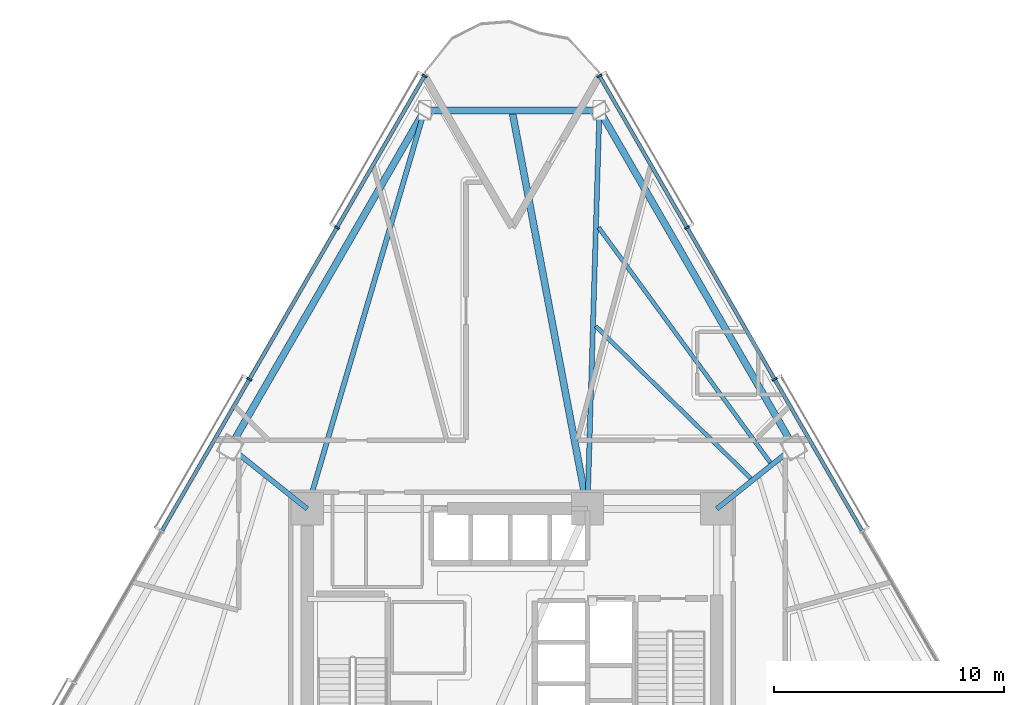
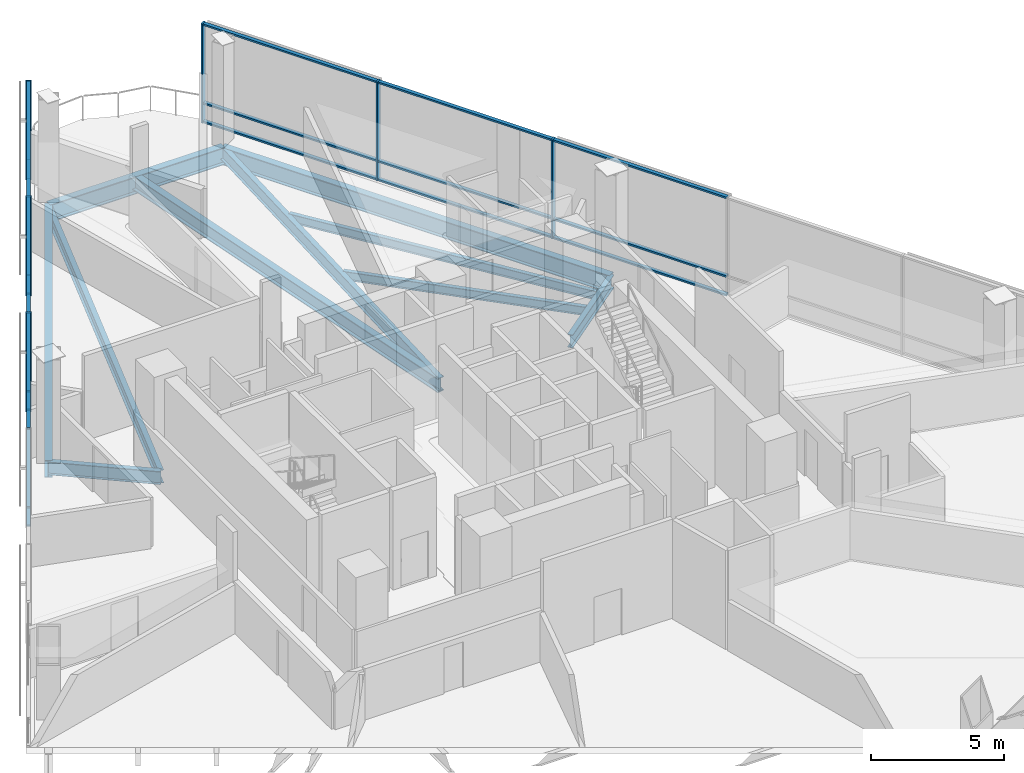
# One storey, part 5 of 17: 24 members, 10 beams, 2 elements without a shape of their own.
"""IFC4 building model written with IfcOpenShell, lengths in metres."""

from ifc_helpers import new_model, si_unit, direction, frame, origin, origin_2d, place, context, subcontext, project, spatial, rectangle, i_section, extrude, material, layer, layer_set, material_profile, profile_set, type_object, element, aggregate, save


model = new_model("IFC4")

# Units and contexts
model_context = context("Model", 3, precision=1e-05, world=origin(), true_north=direction((0.0, 1.0)))
body_context = subcontext(model_context, "Body", "Model", "MODEL_VIEW")
ifc_project = project(units=[si_unit("LENGTHUNIT", "METRE"), si_unit("AREAUNIT", "SQUARE_METRE"), si_unit("VOLUMEUNIT", "CUBIC_METRE"), si_unit("PLANEANGLEUNIT", "RADIAN"), si_unit("MASSUNIT", "GRAM", prefix="KILO")], contexts=[model_context])

# Site, building, storey
site_placement = place(None, origin())
site = spatial("IfcSite", under=ifc_project, at=site_placement, CompositionType="ELEMENT")
building_placement = place(site_placement, origin())
building = spatial("IfcBuilding", under=site, at=building_placement, Name="Tharavind Bronze Gate", CompositionType="ELEMENT")
storey_placement = place(building_placement, frame((0.0, 0.0, 52.25)))
storey = spatial("IfcBuildingStorey", under=building, at=storey_placement, Name="L12", CompositionType="ELEMENT", Elevation=52.25)

# Curtain wall, members
ifc_material_1 = material(Name="Anodised Bronze Aluminium", Category="aluminium")
ifc_layer = layer(ifc_material_1, 0.219970703125)
ifc_layer_set = layer_set([ifc_layer], Name="Anodised Bronze Aluminium")
curtain_wall_type = type_object("IfcCurtainWallType", Name="UNITISED CURTAIN WALL HOTEL", PredefinedType="USERDEFINED", material=ifc_layer_set)
curtain_wall_1_placement = place(storey_placement, origin())
curtain_wall_1 = element("IfcCurtainWall", 1, at=curtain_wall_1_placement, inside=storey, type_object=curtain_wall_type, Name="L12 unitised curtain wall hotel CW-L12-S1", ObjectType="UNITISED CURTAIN WALL", PredefinedType="USERDEFINED")
member_type_1 = type_object("IfcMemberType", Name="CURTAIN WALL MULLION 80X220", PredefinedType="MULLION", material=ifc_material_1)
member_1_placement = place(storey_placement, frame((-3.800048828125, 26.418212890625, 0.0), z_axis=(0.0, 0.0, 1.0), x_axis=(-0.500001511499, -0.866024531118, 0.0)))
member_1 = element("IfcMember", 2, at=member_1_placement, type_object=member_type_1, Name="CW-L12-S1 mullion 1", PredefinedType="MULLION", context=body_context, shape_type="SweptSolid", body=[
    extrude(rectangle(XDim=0.080078125, YDim=0.219970703125, at=origin_2d()), origin(), (0.0, 0.0, 1.0), 4.56005859375),
])
member_2_placement = place(storey_placement, frame((-7.60791015625, 19.822509765625, 0.0), z_axis=(0.0, 0.0, 1.0), x_axis=(-0.500001511499, -0.866024531118, 0.0)))
member_2 = element("IfcMember", 3, at=member_2_placement, type_object=member_type_1, Name="CW-L12-S1 mullion 2", PredefinedType="MULLION", context=body_context, shape_type="SweptSolid", body=[
    extrude(rectangle(XDim=0.080078125, YDim=0.219970703125, at=origin_2d()), origin(), (0.0, 0.0, 1.0), 4.56005859375),
])
member_3_placement = place(storey_placement, frame((-11.416015625, 13.22705078125, 0.0), z_axis=(0.0, 0.0, 1.0), x_axis=(-0.500001511499, -0.866024531118, 0.0)))
member_3 = element("IfcMember", 4, at=member_3_placement, type_object=member_type_1, Name="CW-L12-S1 mullion 3", PredefinedType="MULLION", context=body_context, shape_type="SweptSolid", body=[
    extrude(rectangle(XDim=0.080078125, YDim=0.219970703125, at=origin_2d()), origin(), (0.0, 0.0, 1.0), 4.56005859375),
])

curtain_wall_2_placement = place(storey_placement, origin())
curtain_wall_2 = element("IfcCurtainWall", 5, at=curtain_wall_2_placement, inside=storey, type_object=curtain_wall_type, Name="L12 unitised curtain wall hotel CW-L12-S3", ObjectType="UNITISED CURTAIN WALL", PredefinedType="USERDEFINED")
member_4_placement = place(storey_placement, frame((11.416015625, 13.22705078125, 0.0), z_axis=(0.0, 0.0, 1.0), x_axis=(-0.500001511499, 0.866024531118, 0.0)))
member_4 = element("IfcMember", 6, at=member_4_placement, type_object=member_type_1, Name="CW-L12-S3 mullion 6", PredefinedType="MULLION", context=body_context, shape_type="SweptSolid", body=[
    extrude(rectangle(XDim=0.080078125, YDim=0.219970703125, at=origin_2d()), origin(), (0.0, 0.0, 1.0), 4.56005859375),
])
member_5_placement = place(storey_placement, frame((7.60791015625, 19.822509765625, 0.0), z_axis=(0.0, 0.0, 1.0), x_axis=(-0.500001511499, 0.866024531118, 0.0)))
member_5 = element("IfcMember", 7, at=member_5_placement, type_object=member_type_1, Name="CW-L12-S3 mullion 7", PredefinedType="MULLION", context=body_context, shape_type="SweptSolid", body=[
    extrude(rectangle(XDim=0.080078125, YDim=0.219970703125, at=origin_2d()), origin(), (0.0, 0.0, 1.0), 4.56005859375),
])
member_6_placement = place(storey_placement, frame((3.800048828125, 26.418212890625, 0.0), z_axis=(0.0, 0.0, 1.0), x_axis=(-0.500001511499, 0.866024531118, 0.0)))
member_6 = element("IfcMember", 8, at=member_6_placement, type_object=member_type_1, Name="CW-L12-S3 mullion 8", PredefinedType="MULLION", context=body_context, shape_type="SweptSolid", body=[
    extrude(rectangle(XDim=0.080078125, YDim=0.219970703125, at=origin_2d()), origin(), (0.0, 0.0, 1.0), 4.56005859375),
])

# Member
member_type_2 = type_object("IfcMemberType", Name="CURTAIN WALL TRANSOM 80X160", PredefinedType="USERDEFINED", material=ifc_material_1)
member_7_placement = place(storey_placement, frame((-5.7041015625, 23.120361328125, 0.0), z_axis=(0.0, 0.0, 1.0), x_axis=(-0.500001511499, -0.866024531118, 0.0)))
member_7 = element("IfcMember", 9, at=member_7_placement, type_object=member_type_2, Name="CW-L12-S1 transom TB1", ObjectType="TRANSOM", PredefinedType="USERDEFINED", context=body_context, shape_type="SweptSolid", body=[
    extrude(rectangle(XDim=7.5478515625, YDim=0.159912109375, at=origin_2d()), origin(), (0.0, 0.0, 1.0), 0.080078125),
])

member_8_placement = place(storey_placement, frame((-5.7041015625, 23.120361328125, 0.85986328125), z_axis=(0.0, 0.0, 1.0), x_axis=(-0.500001511499, -0.866024531118, 0.0)))
member_8 = element("IfcMember", 10, at=member_8_placement, type_object=member_type_2, Name="CW-L12-S1 transom TS1", ObjectType="TRANSOM", PredefinedType="USERDEFINED", context=body_context, shape_type="SweptSolid", body=[
    extrude(rectangle(XDim=7.5478515625, YDim=0.159912109375, at=origin_2d()), origin(), (0.0, 0.0, 1.0), 0.080078125),
])

member_9_placement = place(storey_placement, frame((-5.7041015625, 23.120361328125, 4.47998046875), z_axis=(0.0, 0.0, 1.0), x_axis=(-0.500001511499, -0.866024531118, 0.0)))
member_9 = element("IfcMember", 11, at=member_9_placement, type_object=member_type_2, Name="CW-L12-S1 transom TT1", ObjectType="TRANSOM", PredefinedType="USERDEFINED", context=body_context, shape_type="SweptSolid", body=[
    extrude(rectangle(XDim=7.5478515625, YDim=0.159912109375, at=origin_2d()), origin(), (0.0, 0.0, 1.0), 0.080078125),
])

member_10_placement = place(storey_placement, frame((-9.511962890625, 16.52490234375, 0.0), z_axis=(0.0, 0.0, 1.0), x_axis=(-0.500001511499, -0.866024531118, 0.0)))
member_10 = element("IfcMember", 12, at=member_10_placement, type_object=member_type_2, Name="CW-L12-S1 transom TB2", ObjectType="TRANSOM", PredefinedType="USERDEFINED", context=body_context, shape_type="SweptSolid", body=[
    extrude(rectangle(XDim=7.5478515625, YDim=0.159912109375, at=origin_2d()), origin(), (0.0, 0.0, 1.0), 0.080078125),
])

member_11_placement = place(storey_placement, frame((-9.511962890625, 16.52490234375, 0.85986328125), z_axis=(0.0, 0.0, 1.0), x_axis=(-0.500001511499, -0.866024531118, 0.0)))
member_11 = element("IfcMember", 13, at=member_11_placement, type_object=member_type_2, Name="CW-L12-S1 transom TS2", ObjectType="TRANSOM", PredefinedType="USERDEFINED", context=body_context, shape_type="SweptSolid", body=[
    extrude(rectangle(XDim=7.5478515625, YDim=0.159912109375, at=origin_2d()), origin(), (0.0, 0.0, 1.0), 0.080078125),
])

member_12_placement = place(storey_placement, frame((-9.511962890625, 16.52490234375, 4.47998046875), z_axis=(0.0, 0.0, 1.0), x_axis=(-0.500001511499, -0.866024531118, 0.0)))
member_12 = element("IfcMember", 14, at=member_12_placement, type_object=member_type_2, Name="CW-L12-S1 transom TT2", ObjectType="TRANSOM", PredefinedType="USERDEFINED", context=body_context, shape_type="SweptSolid", body=[
    extrude(rectangle(XDim=7.5478515625, YDim=0.159912109375, at=origin_2d()), origin(), (0.0, 0.0, 1.0), 0.080078125),
])

member_13_placement = place(storey_placement, frame((-13.31982421875, 9.92919921875, 0.0), z_axis=(0.0, 0.0, 1.0), x_axis=(-0.500001511499, -0.866024531118, 0.0)))
member_13 = element("IfcMember", 15, at=member_13_placement, type_object=member_type_2, Name="CW-L12-S1 transom TB3", ObjectType="TRANSOM", PredefinedType="USERDEFINED", context=body_context, shape_type="SweptSolid", body=[
    extrude(rectangle(XDim=7.5478515625, YDim=0.159912109375, at=origin_2d()), origin(), (0.0, 0.0, 1.0), 0.080078125),
])

member_14_placement = place(storey_placement, frame((-13.31982421875, 9.92919921875, 0.85986328125), z_axis=(0.0, 0.0, 1.0), x_axis=(-0.500001511499, -0.866024531118, 0.0)))
member_14 = element("IfcMember", 16, at=member_14_placement, type_object=member_type_2, Name="CW-L12-S1 transom TS3", ObjectType="TRANSOM", PredefinedType="USERDEFINED", context=body_context, shape_type="SweptSolid", body=[
    extrude(rectangle(XDim=7.5478515625, YDim=0.159912109375, at=origin_2d()), origin(), (0.0, 0.0, 1.0), 0.080078125),
])

member_15_placement = place(storey_placement, frame((-13.31982421875, 9.92919921875, 4.47998046875), z_axis=(0.0, 0.0, 1.0), x_axis=(-0.500001511499, -0.866024531118, 0.0)))
member_15 = element("IfcMember", 17, at=member_15_placement, type_object=member_type_2, Name="CW-L12-S1 transom TT3", ObjectType="TRANSOM", PredefinedType="USERDEFINED", context=body_context, shape_type="SweptSolid", body=[
    extrude(rectangle(XDim=7.5478515625, YDim=0.159912109375, at=origin_2d()), origin(), (0.0, 0.0, 1.0), 0.080078125),
])

aggregate(curtain_wall_1, [member_1, member_2, member_3, member_7, member_8, member_9, member_10, member_11, member_12, member_13, member_14, member_15])

member_16_placement = place(storey_placement, frame((13.31982421875, 9.92919921875, 0.0), z_axis=(0.0, 0.0, 1.0), x_axis=(-0.500001511499, 0.866024531118, 0.0)))
member_16 = element("IfcMember", 18, at=member_16_placement, type_object=member_type_2, Name="CW-L12-S3 transom TB5", ObjectType="TRANSOM", PredefinedType="USERDEFINED", context=body_context, shape_type="SweptSolid", body=[
    extrude(rectangle(XDim=7.5478515625, YDim=0.159912109375, at=origin_2d()), origin(), (0.0, 0.0, 1.0), 0.080078125),
])

member_17_placement = place(storey_placement, frame((13.31982421875, 9.92919921875, 0.85986328125), z_axis=(0.0, 0.0, 1.0), x_axis=(-0.500001511499, 0.866024531118, 0.0)))
member_17 = element("IfcMember", 19, at=member_17_placement, type_object=member_type_2, Name="CW-L12-S3 transom TS5", ObjectType="TRANSOM", PredefinedType="USERDEFINED", context=body_context, shape_type="SweptSolid", body=[
    extrude(rectangle(XDim=7.5478515625, YDim=0.159912109375, at=origin_2d()), origin(), (0.0, 0.0, 1.0), 0.080078125),
])

member_18_placement = place(storey_placement, frame((13.31982421875, 9.92919921875, 4.47998046875), z_axis=(0.0, 0.0, 1.0), x_axis=(-0.500001511499, 0.866024531118, 0.0)))
member_18 = element("IfcMember", 20, at=member_18_placement, type_object=member_type_2, Name="CW-L12-S3 transom TT5", ObjectType="TRANSOM", PredefinedType="USERDEFINED", context=body_context, shape_type="SweptSolid", body=[
    extrude(rectangle(XDim=7.5478515625, YDim=0.159912109375, at=origin_2d()), origin(), (0.0, 0.0, 1.0), 0.080078125),
])

member_19_placement = place(storey_placement, frame((9.511962890625, 16.52490234375, 0.0), z_axis=(0.0, 0.0, 1.0), x_axis=(-0.500001511499, 0.866024531118, 0.0)))
member_19 = element("IfcMember", 21, at=member_19_placement, type_object=member_type_2, Name="CW-L12-S3 transom TB6", ObjectType="TRANSOM", PredefinedType="USERDEFINED", context=body_context, shape_type="SweptSolid", body=[
    extrude(rectangle(XDim=7.5478515625, YDim=0.159912109375, at=origin_2d()), origin(), (0.0, 0.0, 1.0), 0.080078125),
])

member_20_placement = place(storey_placement, frame((9.511962890625, 16.52490234375, 0.85986328125), z_axis=(0.0, 0.0, 1.0), x_axis=(-0.500001511499, 0.866024531118, 0.0)))
member_20 = element("IfcMember", 22, at=member_20_placement, type_object=member_type_2, Name="CW-L12-S3 transom TS6", ObjectType="TRANSOM", PredefinedType="USERDEFINED", context=body_context, shape_type="SweptSolid", body=[
    extrude(rectangle(XDim=7.5478515625, YDim=0.159912109375, at=origin_2d()), origin(), (0.0, 0.0, 1.0), 0.080078125),
])

member_21_placement = place(storey_placement, frame((9.511962890625, 16.52490234375, 4.47998046875), z_axis=(0.0, 0.0, 1.0), x_axis=(-0.500001511499, 0.866024531118, 0.0)))
member_21 = element("IfcMember", 23, at=member_21_placement, type_object=member_type_2, Name="CW-L12-S3 transom TT6", ObjectType="TRANSOM", PredefinedType="USERDEFINED", context=body_context, shape_type="SweptSolid", body=[
    extrude(rectangle(XDim=7.5478515625, YDim=0.159912109375, at=origin_2d()), origin(), (0.0, 0.0, 1.0), 0.080078125),
])

member_22_placement = place(storey_placement, frame((5.7041015625, 23.120361328125, 0.0), z_axis=(0.0, 0.0, 1.0), x_axis=(-0.500001511499, 0.866024531118, 0.0)))
member_22 = element("IfcMember", 24, at=member_22_placement, type_object=member_type_2, Name="CW-L12-S3 transom TB7", ObjectType="TRANSOM", PredefinedType="USERDEFINED", context=body_context, shape_type="SweptSolid", body=[
    extrude(rectangle(XDim=7.5478515625, YDim=0.159912109375, at=origin_2d()), origin(), (0.0, 0.0, 1.0), 0.080078125),
])

member_23_placement = place(storey_placement, frame((5.7041015625, 23.120361328125, 0.85986328125), z_axis=(0.0, 0.0, 1.0), x_axis=(-0.500001511499, 0.866024531118, 0.0)))
member_23 = element("IfcMember", 25, at=member_23_placement, type_object=member_type_2, Name="CW-L12-S3 transom TS7", ObjectType="TRANSOM", PredefinedType="USERDEFINED", context=body_context, shape_type="SweptSolid", body=[
    extrude(rectangle(XDim=7.5478515625, YDim=0.159912109375, at=origin_2d()), origin(), (0.0, 0.0, 1.0), 0.080078125),
])

member_24_placement = place(storey_placement, frame((5.7041015625, 23.120361328125, 4.47998046875), z_axis=(0.0, 0.0, 1.0), x_axis=(-0.500001511499, 0.866024531118, 0.0)))
member_24 = element("IfcMember", 26, at=member_24_placement, type_object=member_type_2, Name="CW-L12-S3 transom TT7", ObjectType="TRANSOM", PredefinedType="USERDEFINED", context=body_context, shape_type="SweptSolid", body=[
    extrude(rectangle(XDim=7.5478515625, YDim=0.159912109375, at=origin_2d()), origin(), (0.0, 0.0, 1.0), 0.080078125),
])

aggregate(curtain_wall_2, [member_4, member_5, member_6, member_16, member_17, member_18, member_19, member_20, member_21, member_22, member_23, member_24])

# Beams
ifc_material_2 = material(Name="Steel S355", Category="steel")
ifc_material_profile_1 = material_profile(ifc_material_2, i_section(OverallWidth=0.300048828125, OverallDepth=0.64990234375, WebThickness=0.01611328125, FlangeThickness=0.031005859375, at=origin_2d()), Name="HE650B")
ifc_profile_set_1 = profile_set([ifc_material_profile_1], Name="Steel S355")
beam_type_1 = type_object("IfcBeamType", Name="PRIMARY GIRDER HE650B", PredefinedType="USERDEFINED", material=ifc_profile_set_1)
beam_1_placement = place(storey_placement, frame((3.280029296875, 7.60009765625, -0.5), z_axis=(-0.186090445171, 0.982532618398, 0.0), x_axis=(-0.982532618398, -0.186090445171, 0.0)))
element("IfcBeam", 27, at=beam_1_placement, inside=storey, type_object=beam_type_1, Name="L12 primary girder he650b BM-L12-BLCSB", ObjectType="GIRDER", PredefinedType="USERDEFINED", context=body_context, shape_type="SweptSolid", body=[
    extrude(i_section(OverallWidth=0.300048828125, OverallDepth=0.64990234375, WebThickness=0.01611328125, FlangeThickness=0.031005859375, at=origin_2d()), origin(), (0.0, 0.0, 1.0), 17.6259765625),
])
ifc_material_profile_2 = material_profile(ifc_material_2, i_section(OverallWidth=0.219970703125, OverallDepth=0.60009765625, WebThickness=0.011962890625, FlangeThickness=0.01904296875, at=origin_2d()), Name="IPE600")
ifc_profile_set_2 = profile_set([ifc_material_profile_2], Name="Steel S355")
beam_type_2 = type_object("IfcBeamType", Name="PRIMARY GIRDER IPE600", PredefinedType="USERDEFINED", material=ifc_profile_set_2)
beam_2_placement = place(storey_placement, frame((-3.800048828125, 24.918212890625, -0.47509765625), z_axis=(-0.282486989934, -0.959271129826, 0.0), x_axis=(0.959271129826, -0.282486989934, 0.0)))
element("IfcBeam", 28, at=beam_2_placement, inside=storey, type_object=beam_type_2, Name="L12 primary girder ipe600 BM-L12-RAD01", ObjectType="GIRDER", PredefinedType="USERDEFINED", context=body_context, shape_type="SweptSolid", body=[
    extrude(i_section(OverallWidth=0.219970703125, OverallDepth=0.60009765625, WebThickness=0.011962890625, FlangeThickness=0.01904296875, at=origin_2d()), origin(), (0.0, 0.0, 1.0), 18.053466796875),
])
for number, where, z_axis, x_axis, name in (
    (29, (-12.252197265625, 10.278564453125, -0.47509765625), (0.781251676118, -0.62421616333, 0.0), (0.62421616333, 0.781251676118, 0.0), "L12 primary girder ipe600 BM-L12-RAD02"),
    (30, (12.252197265625, 10.278564453125, -0.47509765625), (-0.781251676118, -0.62421616333, 0.0), (0.62421616333, -0.781251676118, 0.0), "L12 primary girder ipe600 BM-L12-RAD11"),
):
    element("IfcBeam", number, at=place(storey_placement, frame(where, z_axis=z_axis, x_axis=x_axis)), inside=storey, type_object=beam_type_2, Name=name, ObjectType="GIRDER", PredefinedType="USERDEFINED", context=body_context, shape_type="SweptSolid", body=[
        extrude(i_section(OverallWidth=0.219970703125, OverallDepth=0.60009765625, WebThickness=0.011962890625, FlangeThickness=0.01904296875, at=origin_2d()), origin(), (0.0, 0.0, 1.0), 4.291015625),
    ])
beam_3_placement = place(storey_placement, frame((3.800048828125, 24.918212890625, -0.47509765625), z_axis=(-0.030013961958, -0.999549479559, 0.0), x_axis=(0.999549479559, -0.030013961958, 0.0)))
element("IfcBeam", 31, at=beam_3_placement, inside=storey, type_object=beam_type_2, Name="L12 primary girder ipe600 BM-L12-RAD12", ObjectType="GIRDER", PredefinedType="USERDEFINED", context=body_context, shape_type="SweptSolid", body=[
    extrude(i_section(OverallWidth=0.219970703125, OverallDepth=0.60009765625, WebThickness=0.011962890625, FlangeThickness=0.01904296875, at=origin_2d()), origin(), (0.0, 0.0, 1.0), 17.325927734375),
])
ifc_material_profile_3 = material_profile(ifc_material_2, i_section(OverallWidth=0.300048828125, OverallDepth=0.800048828125, WebThickness=0.017578125, FlangeThickness=0.032958984375, at=origin_2d()), Name="HE800B")
ifc_profile_set_3 = profile_set([ifc_material_profile_3], Name="Steel S355")
beam_type_3 = type_object("IfcBeamType", Name="RING GIRDER HE800B", PredefinedType="USERDEFINED", material=ifc_profile_set_3)
for number, where, z_axis, x_axis, name in (
    (32, (-3.800048828125, 24.918212890625, -0.574951171875), (-0.499997491977, -0.866026851788, 0.0), (0.866026851788, -0.499997491977, 0.0), "L12 ring girder he800b BM-L12-PRG01"),
    (33, (12.252197265625, 10.278564453125, -0.574951171875), (-0.499997491977, 0.866026851788, 0.0), (-0.866026851788, -0.499997491977, 0.0), "L12 ring girder he800b BM-L12-PRG11"),
):
    element("IfcBeam", number, at=place(storey_placement, frame(where, z_axis=z_axis, x_axis=x_axis)), inside=storey, type_object=beam_type_3, Name=name, ObjectType="GIRDER", PredefinedType="USERDEFINED", context=body_context, shape_type="SweptSolid", body=[
        extrude(i_section(OverallWidth=0.300048828125, OverallDepth=0.800048828125, WebThickness=0.017578125, FlangeThickness=0.032958984375, at=origin_2d()), origin(), (0.0, 0.0, 1.0), 16.904296875),
    ])
beam_4_placement = place(storey_placement, frame((3.800048828125, 24.918212890625, -0.574951171875), z_axis=(-1.0, 0.0, 0.0), x_axis=(0.0, -1.0, 0.0)))
element("IfcBeam", 34, at=beam_4_placement, inside=storey, type_object=beam_type_3, Name="L12 ring girder he800b BM-L12-PRG12", ObjectType="GIRDER", PredefinedType="USERDEFINED", context=body_context, shape_type="SweptSolid", body=[
    extrude(i_section(OverallWidth=0.300048828125, OverallDepth=0.800048828125, WebThickness=0.017578125, FlangeThickness=0.032958984375, at=origin_2d()), origin(), (0.0, 0.0, 1.0), 7.60009765625),
])
ifc_material_profile_4 = material_profile(ifc_material_2, i_section(OverallWidth=0.179931640625, OverallDepth=0.39990234375, WebThickness=0.008544921875, FlangeThickness=0.013427734375, at=origin_2d()), Name="IPE400")
ifc_profile_set_4 = profile_set([ifc_material_profile_4], Name="Steel S355")
beam_type_4 = type_object("IfcBeamType", Name="SECONDARY FLOOR JOIST IPE400", PredefinedType="JOIST", material=ifc_profile_set_4)
beam_5_placement = place(storey_placement, frame((10.376953125, 8.92578125, -0.375), z_axis=(-0.713727372998, 0.700423612561, 0.0), x_axis=(-0.700423612561, -0.713727372998, 0.0)))
element("IfcBeam", 35, at=beam_5_placement, inside=storey, type_object=beam_type_4, Name="L12 secondary floor joist ipe400 BM-L12-JSTA11", PredefinedType="JOIST", context=body_context, shape_type="SweptSolid", body=[
    extrude(i_section(OverallWidth=0.179931640625, OverallDepth=0.39990234375, WebThickness=0.008544921875, FlangeThickness=0.013427734375, at=origin_2d()), origin(), (0.0, 0.0, 1.0), 9.450927734375),
])
beam_6_placement = place(storey_placement, frame((11.2294921875, 9.607421875, -0.375), z_axis=(-0.589794717955, 0.807553212285, 0.0), x_axis=(-0.807553212285, -0.589794717955, 0.0)))
element("IfcBeam", 36, at=beam_6_placement, inside=storey, type_object=beam_type_4, Name="L12 secondary floor joist ipe400 BM-L12-JSTB11", PredefinedType="JOIST", context=body_context, shape_type="SweptSolid", body=[
    extrude(i_section(OverallWidth=0.179931640625, OverallDepth=0.39990234375, WebThickness=0.008544921875, FlangeThickness=0.013427734375, at=origin_2d()), origin(), (0.0, 0.0, 1.0), 12.66455078125),
])

save(model, "model.ifc")
